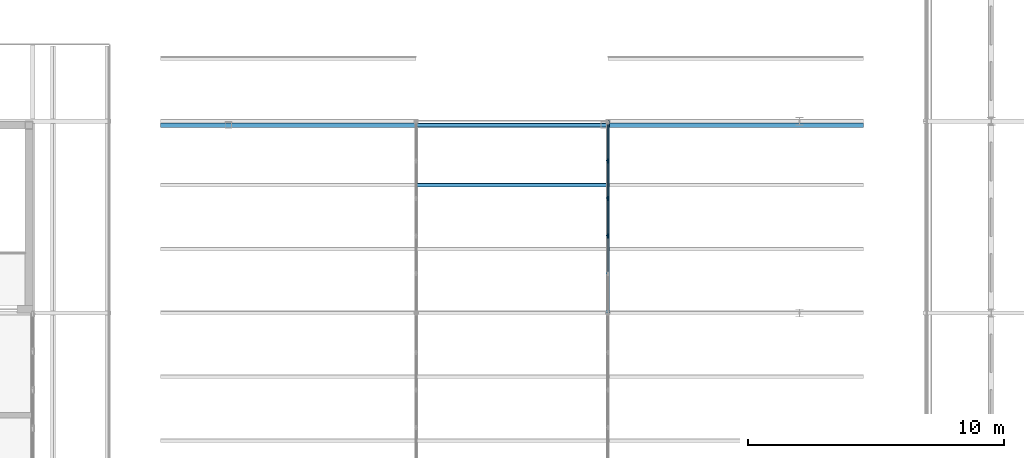
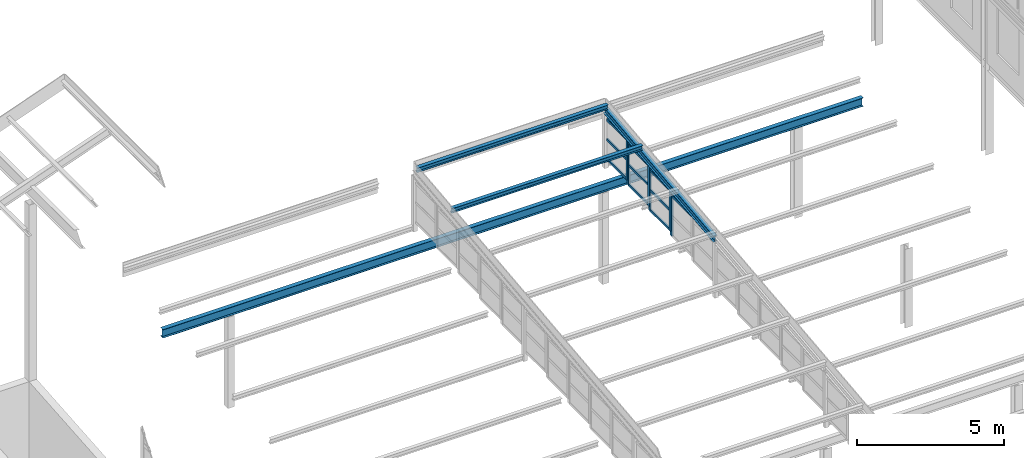
# One storey, part 63 of 483: 18 members, 2 beams, 4 elements without a shape of their own.
"""IFC4 building model written with IfcOpenShell, lengths in metres."""

from ifc_helpers import new_model, si_unit, direction, frame, origin, origin_2d, place, context, subcontext, project, spatial, rectangle, i_section, extrude, material, material_profile, profile_set, type_object, element, aggregate, save


model = new_model("IFC4")

# Units and contexts
model_context = context("Model", 3, precision=1e-05, world=origin(), true_north=direction((0.0, 1.0)))
body_context = subcontext(model_context, "Body", "Model", "MODEL_VIEW")
ifc_project = project(units=[si_unit("LENGTHUNIT", "METRE"), si_unit("AREAUNIT", "SQUARE_METRE"), si_unit("VOLUMEUNIT", "CUBIC_METRE"), si_unit("PLANEANGLEUNIT", "RADIAN"), si_unit("MASSUNIT", "GRAM", prefix="KILO")], contexts=[model_context])

# Site, building, storey
site_placement = place(None, origin())
site = spatial("IfcSite", under=ifc_project, at=site_placement, CompositionType="ELEMENT")
building_placement = place(site_placement, origin())
building = spatial("IfcBuilding", under=site, at=building_placement, Name="Parallax Yard Mobility Hub", CompositionType="ELEMENT")
storey_placement = place(building_placement, frame((0.0, 0.0, 13.199951171875)))
storey = spatial("IfcBuildingStorey", under=building, at=storey_placement, Name="L04", CompositionType="ELEMENT", Elevation=13.199951171875)

# Beam
ifc_material_1 = material(Name="Steel ASTM A992", Category="steel")
ifc_material_profile_1 = material_profile(ifc_material_1, i_section(OverallWidth=0.14794921875, OverallDepth=0.26611328125, WebThickness=0.007568359375, FlangeThickness=0.012939453125, at=origin_2d()), Name="W250x45")
ifc_profile_set_1 = profile_set([ifc_material_profile_1], Name="Steel ASTM A992")
beam_type_1 = type_object("IfcBeamType", Name="Monitor girder W250x45", PredefinedType="BEAM", material=ifc_profile_set_1)
beam_1_placement = place(storey_placement, frame((165.0, 45.0146484375, 6.18310546875), z_axis=(0.0, 0.993884918264, 0.110420873243), x_axis=(-1.0, 0.0, 0.0)))
element("IfcBeam", 1, at=beam_1_placement, inside=storey, type_object=beam_type_1, Name="Monitor girder at x 165 bay 6", PredefinedType="BEAM", context=body_context, shape_type="SweptSolid", body=[
    extrude(i_section(OverallWidth=0.14794921875, OverallDepth=0.26611328125, WebThickness=0.007568359375, FlangeThickness=0.012939453125, at=origin_2d()), origin(), (0.0, 0.0, 1.0), 7.546142578125),
])

# Curtain wall, member
ifc_material_2 = material(Name="Thermally broken aluminium curtain wall system", Category="aluminium")
curtain_wall_type = type_object("IfcCurtainWallType", Name="Clerestory glazing run 60 x 120 frame", PredefinedType="NOTDEFINED", material=ifc_material_2)
curtain_wall_1_placement = place(storey_placement, origin())
curtain_wall_1 = element("IfcCurtainWall", 2, at=curtain_wall_1_placement, inside=storey, type_object=curtain_wall_type, Name="Clerestory glazing run Bicycle and shared-mobility hall roof step 2 bay 6 level L02", PredefinedType="NOTDEFINED")
ifc_material_3 = material(Name="Extruded aluminium", Category="aluminium")
ifc_material_profile_2 = material_profile(ifc_material_3, rectangle(XDim=0.06005859375, YDim=0.1201171875, at=origin_2d()), Name="Mullion 60 x 120")
ifc_profile_set_2 = profile_set([ifc_material_profile_2], Name="Extruded aluminium")
member_type_1 = type_object("IfcMemberType", Name="Mullion 60 x 120", PredefinedType="MULLION", material=ifc_profile_set_2)
member_1_placement = place(storey_placement, frame((165.0, 47.985107421875, 4.518310546875), z_axis=(0.0, 0.0, 1.0), x_axis=(-1.0, 0.0, 0.0)))
member_1 = element("IfcMember", 3, at=member_1_placement, type_object=member_type_1, Name="CW4 mullion 2", PredefinedType="MULLION", context=body_context, shape_type="SweptSolid", body=[
    extrude(rectangle(XDim=0.06005859375, YDim=0.1201171875, at=origin_2d()), origin(), (0.0, 0.0, 1.0), 1.697509765625),
])

# Curtain wall, members
curtain_wall_2_placement = place(storey_placement, origin())
curtain_wall_2 = element("IfcCurtainWall", 4, at=curtain_wall_2_placement, inside=storey, type_object=curtain_wall_type, Name="Clerestory glazing run Bicycle and shared-mobility hall roof step 2 bay 6 level L02", PredefinedType="NOTDEFINED")
member_2_placement = place(storey_placement, frame((165.0, 48.045166015625, 4.681396484375), z_axis=(0.0, 0.0, 1.0), x_axis=(-1.0, 0.0, 0.0)))
member_2 = element("IfcMember", 5, at=member_2_placement, type_object=member_type_1, Name="CW4 mullion 1", PredefinedType="MULLION", context=body_context, shape_type="SweptSolid", body=[
    extrude(rectangle(XDim=0.06005859375, YDim=0.1201171875, at=origin_2d()), origin(), (0.0, 0.0, 1.0), 1.701171875),
])
member_3_placement = place(storey_placement, frame((165.0, 49.454833984375, 4.681396484375), z_axis=(0.0, 0.0, 1.0), x_axis=(-1.0, 0.0, 0.0)))
member_3 = element("IfcMember", 6, at=member_3_placement, type_object=member_type_1, Name="CW4 mullion 2", PredefinedType="MULLION", context=body_context, shape_type="SweptSolid", body=[
    extrude(rectangle(XDim=0.06005859375, YDim=0.1201171875, at=origin_2d()), origin(), (0.0, 0.0, 1.0), 1.701171875),
])

curtain_wall_3_placement = place(storey_placement, origin())
curtain_wall_3 = element("IfcCurtainWall", 7, at=curtain_wall_3_placement, inside=storey, type_object=curtain_wall_type, Name="Clerestory glazing run Bicycle and shared-mobility hall roof step 2 bay 6 level L02", PredefinedType="NOTDEFINED")
member_4_placement = place(storey_placement, frame((165.0, 49.514892578125, 4.8447265625), z_axis=(0.0, 0.0, 1.0), x_axis=(-1.0, 0.0, 0.0)))
member_4 = element("IfcMember", 8, at=member_4_placement, type_object=member_type_1, Name="CW4 mullion 1", PredefinedType="MULLION", context=body_context, shape_type="SweptSolid", body=[
    extrude(rectangle(XDim=0.06005859375, YDim=0.1201171875, at=origin_2d()), origin(), (0.0, 0.0, 1.0), 1.693359375),
])
member_5_placement = place(storey_placement, frame((165.0, 50.92431640625, 4.8447265625), z_axis=(0.0, 0.0, 1.0), x_axis=(-1.0, 0.0, 0.0)))
member_5 = element("IfcMember", 9, at=member_5_placement, type_object=member_type_1, Name="CW4 mullion 2", PredefinedType="MULLION", context=body_context, shape_type="SweptSolid", body=[
    extrude(rectangle(XDim=0.06005859375, YDim=0.1201171875, at=origin_2d()), origin(), (0.0, 0.0, 1.0), 1.693359375),
])

# Curtain wall, member
curtain_wall_4_placement = place(storey_placement, origin())
curtain_wall_4 = element("IfcCurtainWall", 10, at=curtain_wall_4_placement, inside=storey, type_object=curtain_wall_type, Name="Clerestory glazing run Bicycle and shared-mobility hall roof step 2 bay 6 level L02", PredefinedType="NOTDEFINED")
member_6_placement = place(storey_placement, frame((165.0, 50.984375, 5.008056640625), z_axis=(0.0, 0.0, 1.0), x_axis=(-1.0, 0.0, 0.0)))
member_6 = element("IfcMember", 11, at=member_6_placement, type_object=member_type_1, Name="CW4 mullion 1", PredefinedType="MULLION", context=body_context, shape_type="SweptSolid", body=[
    extrude(rectangle(XDim=0.06005859375, YDim=0.1201171875, at=origin_2d()), origin(), (0.0, 0.0, 1.0), 1.69677734375),
])

# Beam
ifc_material_profile_3 = material_profile(ifc_material_1, i_section(OverallWidth=0.1708984375, OverallDepth=0.35498046875, WebThickness=0.007080078125, FlangeThickness=0.01171875, at=origin_2d()), Name="W360x51")
ifc_profile_set_3 = profile_set([ifc_material_profile_3], Name="Steel ASTM A992")
beam_type_2 = type_object("IfcBeamType", Name="Roof girder W360x51", PredefinedType="BEAM", material=ifc_profile_set_3)
beam_2_placement = place(storey_placement, frame((147.5, 52.35009765625, 3.9609375), z_axis=(1.0, 0.0, 0.0), x_axis=(0.0, 1.0, 0.0)))
element("IfcBeam", 12, at=beam_2_placement, inside=storey, type_object=beam_type_2, Name="Roof girder at y 52.35", PredefinedType="BEAM", context=body_context, shape_type="SweptSolid", body=[
    extrude(i_section(OverallWidth=0.1708984375, OverallDepth=0.35498046875, WebThickness=0.007080078125, FlangeThickness=0.01171875, at=origin_2d()), origin(), (0.0, 0.0, 1.0), 27.5),
])

# Members
ifc_material_profile_4 = material_profile(ifc_material_1, i_section(OverallWidth=0.133056640625, OverallDepth=0.20703125, WebThickness=0.005859375, FlangeThickness=0.00830078125, at=origin_2d()), Name="W200x27")
ifc_profile_set_4 = profile_set([ifc_material_profile_4], Name="Steel ASTM A992")
member_type_2 = type_object("IfcMemberType", Name="Roof purlin W200x27", PredefinedType="PURLIN", material=ifc_profile_set_4)
for number, where, z_axis, x_axis, name in (
    (13, (157.5, 50.011474609375, 6.974853515625), (1.0, 0.0, 0.0), (0.0, 0.993883718765, 0.110431669255), "Monitor purlin at y 50"),
    (14, (157.5, 52.361328125, 7.236083984375), (1.0, 0.0, 0.0), (0.0, 0.993883718765, 0.110431669255), "Monitor purlin at y 52.35"),
):
    element("IfcMember", number, at=place(storey_placement, frame(where, z_axis=z_axis, x_axis=x_axis)), inside=storey, type_object=member_type_2, Name=name, PredefinedType="PURLIN", context=body_context, shape_type="SweptSolid", body=[
        extrude(i_section(OverallWidth=0.133056640625, OverallDepth=0.20703125, WebThickness=0.005859375, FlangeThickness=0.00830078125, at=origin_2d()), origin(), (0.0, 0.0, 1.0), 7.5),
    ])

# Member
ifc_material_profile_5 = material_profile(ifc_material_3, rectangle(XDim=0.06005859375, YDim=0.10009765625, at=origin_2d()), Name="Transom 60 x 100")
ifc_profile_set_5 = profile_set([ifc_material_profile_5], Name="Extruded aluminium")
member_type_3 = type_object("IfcMemberType", Name="Transom 60 x 100", PredefinedType="USERDEFINED", material=ifc_profile_set_5)
member_7_placement = place(storey_placement, frame((165.0, 46.605712890625, 6.185791015625), z_axis=(0.0, 1.0, 0.0), x_axis=(-1.0, 0.0, 0.0)))
member_7 = element("IfcMember", 15, at=member_7_placement, type_object=member_type_3, Name="CW4 transom 1.3", ObjectType="TRANSOM", PredefinedType="USERDEFINED", context=body_context, shape_type="SweptSolid", body=[
    extrude(rectangle(XDim=0.06005859375, YDim=0.10009765625, at=origin_2d()), origin(), (0.0, 0.0, 1.0), 1.349365234375),
])

aggregate(curtain_wall_1, [member_1, member_7])

member_8_placement = place(storey_placement, frame((165.0, 48.0751953125, 4.71142578125), z_axis=(0.0, 1.0, 0.0), x_axis=(-1.0, 0.0, 0.0)))
member_8 = element("IfcMember", 16, at=member_8_placement, type_object=member_type_3, Name="CW4 transom 1.1", ObjectType="TRANSOM", PredefinedType="USERDEFINED", context=body_context, shape_type="SweptSolid", body=[
    extrude(rectangle(XDim=0.06005859375, YDim=0.10009765625, at=origin_2d()), origin(), (0.0, 0.0, 1.0), 1.349609375),
])

member_9_placement = place(storey_placement, frame((165.0, 48.0751953125, 5.531982421875), z_axis=(0.0, 1.0, 0.0), x_axis=(-1.0, 0.0, 0.0)))
member_9 = element("IfcMember", 17, at=member_9_placement, type_object=member_type_3, Name="CW4 transom 1.2", ObjectType="TRANSOM", PredefinedType="USERDEFINED", context=body_context, shape_type="SweptSolid", body=[
    extrude(rectangle(XDim=0.06005859375, YDim=0.10009765625, at=origin_2d()), origin(), (0.0, 0.0, 1.0), 1.349609375),
])

member_10_placement = place(storey_placement, frame((165.0, 48.0751953125, 6.3525390625), z_axis=(0.0, 1.0, 0.0), x_axis=(-1.0, 0.0, 0.0)))
member_10 = element("IfcMember", 18, at=member_10_placement, type_object=member_type_3, Name="CW4 transom 1.3", ObjectType="TRANSOM", PredefinedType="USERDEFINED", context=body_context, shape_type="SweptSolid", body=[
    extrude(rectangle(XDim=0.06005859375, YDim=0.10009765625, at=origin_2d()), origin(), (0.0, 0.0, 1.0), 1.349609375),
])

aggregate(curtain_wall_2, [member_2, member_3, member_8, member_9, member_10])

member_11_placement = place(storey_placement, frame((165.0, 49.544921875, 4.874755859375), z_axis=(0.0, 1.0, 0.0), x_axis=(-1.0, 0.0, 0.0)))
member_11 = element("IfcMember", 19, at=member_11_placement, type_object=member_type_3, Name="CW4 transom 1.1", ObjectType="TRANSOM", PredefinedType="USERDEFINED", context=body_context, shape_type="SweptSolid", body=[
    extrude(rectangle(XDim=0.06005859375, YDim=0.10009765625, at=origin_2d()), origin(), (0.0, 0.0, 1.0), 1.349365234375),
])

member_12_placement = place(storey_placement, frame((165.0, 49.544921875, 5.69140625), z_axis=(0.0, 1.0, 0.0), x_axis=(-1.0, 0.0, 0.0)))
member_12 = element("IfcMember", 20, at=member_12_placement, type_object=member_type_3, Name="CW4 transom 1.2", ObjectType="TRANSOM", PredefinedType="USERDEFINED", context=body_context, shape_type="SweptSolid", body=[
    extrude(rectangle(XDim=0.06005859375, YDim=0.10009765625, at=origin_2d()), origin(), (0.0, 0.0, 1.0), 1.349365234375),
])

member_13_placement = place(storey_placement, frame((165.0, 49.544921875, 6.508056640625), z_axis=(0.0, 1.0, 0.0), x_axis=(-1.0, 0.0, 0.0)))
member_13 = element("IfcMember", 21, at=member_13_placement, type_object=member_type_3, Name="CW4 transom 1.3", ObjectType="TRANSOM", PredefinedType="USERDEFINED", context=body_context, shape_type="SweptSolid", body=[
    extrude(rectangle(XDim=0.06005859375, YDim=0.10009765625, at=origin_2d()), origin(), (0.0, 0.0, 1.0), 1.349365234375),
])

aggregate(curtain_wall_3, [member_4, member_5, member_11, member_12, member_13])

member_14_placement = place(storey_placement, frame((165.0, 51.014404296875, 5.0380859375), z_axis=(0.0, 1.0, 0.0), x_axis=(-1.0, 0.0, 0.0)))
member_14 = element("IfcMember", 22, at=member_14_placement, type_object=member_type_3, Name="CW4 transom 1.1", ObjectType="TRANSOM", PredefinedType="USERDEFINED", context=body_context, shape_type="SweptSolid", body=[
    extrude(rectangle(XDim=0.06005859375, YDim=0.10009765625, at=origin_2d()), origin(), (0.0, 0.0, 1.0), 1.349365234375),
])

member_15_placement = place(storey_placement, frame((165.0, 51.014404296875, 5.8564453125), z_axis=(0.0, 1.0, 0.0), x_axis=(-1.0, 0.0, 0.0)))
member_15 = element("IfcMember", 23, at=member_15_placement, type_object=member_type_3, Name="CW4 transom 1.2", ObjectType="TRANSOM", PredefinedType="USERDEFINED", context=body_context, shape_type="SweptSolid", body=[
    extrude(rectangle(XDim=0.06005859375, YDim=0.10009765625, at=origin_2d()), origin(), (0.0, 0.0, 1.0), 1.349365234375),
])

member_16_placement = place(storey_placement, frame((165.0, 51.014404296875, 6.6748046875), z_axis=(0.0, 1.0, 0.0), x_axis=(-1.0, 0.0, 0.0)))
member_16 = element("IfcMember", 24, at=member_16_placement, type_object=member_type_3, Name="CW4 transom 1.3", ObjectType="TRANSOM", PredefinedType="USERDEFINED", context=body_context, shape_type="SweptSolid", body=[
    extrude(rectangle(XDim=0.06005859375, YDim=0.10009765625, at=origin_2d()), origin(), (0.0, 0.0, 1.0), 1.349365234375),
])

aggregate(curtain_wall_4, [member_6, member_14, member_15, member_16])

save(model, "model.ifc")
